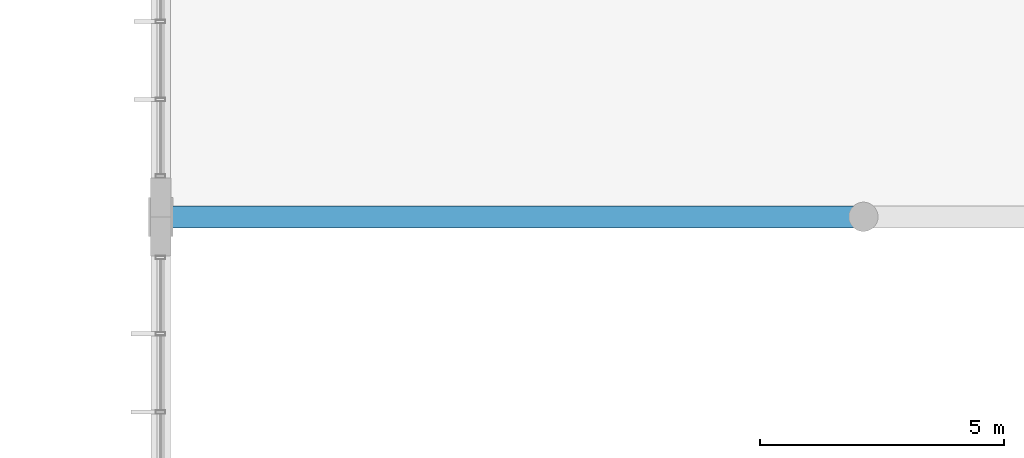
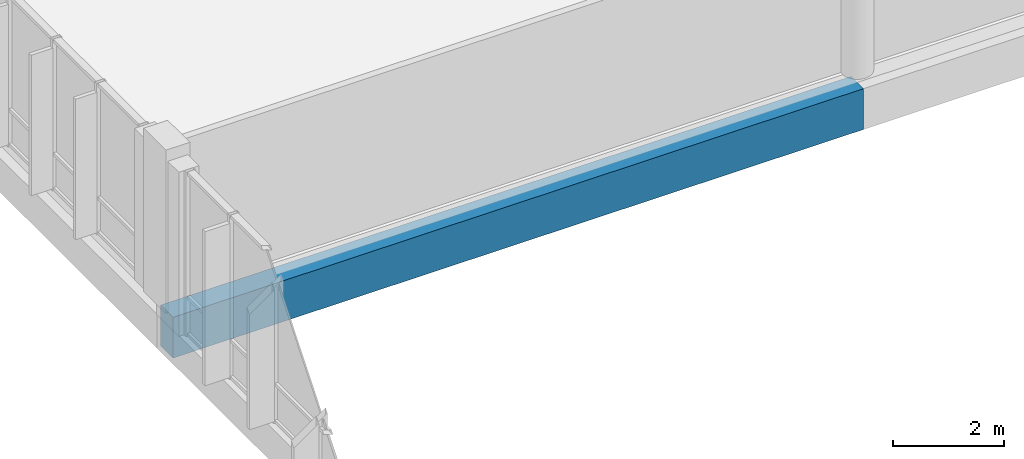
# One storey, part 36 of 189: 1 beam.
"""IFC4 building model written with IfcOpenShell, lengths in metres."""

import ifcopenshell
import ifcopenshell.guid

model = None  # the IFC model being written
_history = None  # IfcOwnerHistory: only IFC2X3 demands one
_inside = {}  # id of a spatial element -> (the spatial element, [elements in it])
_under = {}  # id of a project, library or spatial element -> (it, [spatial elements below it])
_declared = {}  # id of a project -> (the project, [libraries it declares])
_typed = {}  # id of a type object -> (the type object, [elements of that type])
_made_of = {}  # id of a material, layer set ... -> (it, [elements and type objects made of it])


def new_model(schema):
    """Start an empty IFC model of exactly this schema.

    Asked for "IFC4X3", IfcOpenShell would pick the latest addendum, in which some entities
    have other attributes; the version numbers below select the first issue.
    IFC2X3 requires an IfcOwnerHistory on every rooted entity: one is made here for all.
    """
    global model, _history
    if schema == "IFC4X3":
        model = ifcopenshell.file(schema_version=(4, 3, 0, 0))
    else:
        model = ifcopenshell.file(schema=schema)
    _inside.clear()
    _under.clear()
    _declared.clear()
    _typed.clear()
    _made_of.clear()
    _history = None
    if model.schema == "IFC2X3":
        org = make("IfcOrganization", Name="unknown")
        user = make(
            "IfcPersonAndOrganization",
            ThePerson=make("IfcPerson", FamilyName="unknown"),
            TheOrganization=org,
        )
        app = make(
            "IfcApplication",
            ApplicationDeveloper=org,
            Version="unknown",
            ApplicationFullName="unknown",
            ApplicationIdentifier="unknown",
        )
        _history = make(
            "IfcOwnerHistory",
            OwningUser=user,
            OwningApplication=app,
            ChangeAction="ADDED",
            CreationDate=0,
        )
    return model


def make(cls, **values):
    """One entity of the class cls with the attributes given. An attribute that is None is left unset."""
    return model.create_entity(
        cls, **{name: value for name, value in values.items() if value is not None}
    )


def rooted(cls, **values):
    """An entity with a GlobalId (a new one), such as an element, a storey or a relation."""
    return make(cls, GlobalId=ifcopenshell.guid.new(), OwnerHistory=_history, **values)


def si_unit(unit_type, name, prefix=None):
    """IfcSIUnit, for example si_unit("LENGTHUNIT", "METRE", prefix="MILLI")."""
    return make("IfcSIUnit", UnitType=unit_type, Prefix=prefix, Name=name)


def assignment(units):
    """IfcUnitAssignment: the units of a project."""
    return None if units is None else make("IfcUnitAssignment", Units=units)


def point(xyz):
    """IfcCartesianPoint."""
    return None if xyz is None else make("IfcCartesianPoint", Coordinates=xyz)


def direction(xyz):
    """IfcDirection."""
    return None if xyz is None else make("IfcDirection", DirectionRatios=xyz)


def frame(location, z_axis=None, x_axis=None):
    """IfcAxis2Placement3D, a coordinate frame: its origin and axes. An axis left out is left unset."""
    return make(
        "IfcAxis2Placement3D",
        Location=point(location),
        Axis=direction(z_axis),
        RefDirection=direction(x_axis),
    )


def frame_2d(location, x_axis=None):
    """IfcAxis2Placement2D, a coordinate frame in the plane: its origin and x axis."""
    return make(
        "IfcAxis2Placement2D", Location=point(location), RefDirection=direction(x_axis)
    )


def origin():
    """The frame at (0, 0, 0) with its axes left unset."""
    return frame((0.0, 0.0, 0.0))


def origin_2d():
    """The frame at (0, 0) in the plane with its x axis left unset."""
    return frame_2d((0.0, 0.0))


def place(relative_to, where):
    """IfcLocalPlacement: puts the frame where relative to a parent placement (None: the world)."""
    return make(
        "IfcLocalPlacement", PlacementRelTo=relative_to, RelativePlacement=where
    )


def context(
    kind, dimensions, precision=None, world=None, true_north=None, identifier=None
):
    """IfcGeometricRepresentationContext, for example the 3D "Model" context."""
    return make(
        "IfcGeometricRepresentationContext",
        ContextIdentifier=identifier,
        ContextType=kind,
        CoordinateSpaceDimension=dimensions,
        Precision=precision,
        WorldCoordinateSystem=world,
        TrueNorth=true_north,
    )


def subcontext(parent, identifier, kind, view, scale=None):
    """IfcGeometricRepresentationSubContext, for example "Body" below "Model"."""
    return make(
        "IfcGeometricRepresentationSubContext",
        ContextIdentifier=identifier,
        ContextType=kind,
        ParentContext=parent,
        TargetScale=scale,
        TargetView=view,
    )


def project(units=None, contexts=None):
    """IfcProject with its units and contexts."""
    return rooted(
        "IfcProject",
        Name="project",
        RepresentationContexts=contexts,
        UnitsInContext=assignment(units),
    )


def spatial(cls, under=None, at=None, **own):
    """A site, building, storey or space (cls), placed at a placement, below another one or the project."""
    s = rooted(cls, ObjectPlacement=at, **own)
    if under is not None:
        _under.setdefault(under.id(), (under, []))[1].append(s)
    return s


def profile(cls, at=None, kind="AREA", **sizes):
    """A parametric profile (cls). Its sizes go by their IFC names, for example OverallWidth=200.0."""
    return make(cls, ProfileType=kind, Position=at, **sizes)


def rectangle(**sizes):
    """IfcRectangleProfileDef."""
    return profile("IfcRectangleProfileDef", **sizes)


def extrude(swept, where, along, depth):
    """IfcExtrudedAreaSolid: the profile swept, set in the frame where, extruded along a direction by depth."""
    return make(
        "IfcExtrudedAreaSolid",
        SweptArea=swept,
        Position=where,
        ExtrudedDirection=direction(along),
        Depth=depth,
    )


def shape(context_of_items, identifier, shape_type, items):
    """IfcShapeRepresentation: the items that make up one representation, for example the "Body"."""
    return make(
        "IfcShapeRepresentation",
        ContextOfItems=context_of_items,
        RepresentationIdentifier=identifier,
        RepresentationType=shape_type,
        Items=items,
    )


def material(Name=None, Category=None):
    """IfcMaterial."""
    return make("IfcMaterial", Name=Name, Category=Category)


def material_profile(
    of_material, cross_section, Name=None, Category=None, Priority=None
):
    """IfcMaterialProfile: a cross section and its material."""
    return make(
        "IfcMaterialProfile",
        Name=Name,
        Material=of_material,
        Profile=cross_section,
        Priority=Priority,
        Category=Category,
    )


def profile_set(profiles, Name=None, composite=None):
    """IfcMaterialProfileSet."""
    return make(
        "IfcMaterialProfileSet",
        Name=Name,
        MaterialProfiles=profiles,
        CompositeProfile=composite,
    )


def made_of(thing, what):
    """Note that an element or type object is made of a material, layer set ...; save() writes the relation."""
    if what is not None:
        _made_of.setdefault(what.id(), (what, []))[1].append(thing)
    return thing


def type_object(cls, material=None, **own):
    """A type object (cls), such as IfcWallType, which elements share."""
    return made_of(rooted(cls, **own), material)


def element(
    cls,
    number,
    at=None,
    inside=None,
    cuts=None,
    type_object=None,
    material=None,
    context=None,
    identifier="Body",
    shape_type=None,
    held_by="IfcProductDefinitionShape",
    body=None,
    shapes=None,
    **own,
):
    """One element of the class cls, such as IfcWall. Its Tag is "e" and its number.

    at: its placement. inside: the storey or other place that contains it. cuts: it is an
    opening in that element (IfcRelVoidsElement). A single representation is given by context,
    identifier, shape_type and body (its items); several are given by shapes. held_by: the class
    of the entity that holds the representations. save() writes the other relations.
    """
    e = rooted(cls, Tag="e%d" % number, ObjectPlacement=at, **own)
    if body is not None:
        shapes = [shape(context, identifier, shape_type, body)]
    if shapes is not None:
        e.Representation = make(held_by, Representations=shapes)
    if inside is not None:
        _inside.setdefault(inside.id(), (inside, []))[1].append(e)
    if cuts is not None:
        rooted(
            "IfcRelVoidsElement", RelatingBuildingElement=cuts, RelatedOpeningElement=e
        )
    if type_object is not None:
        _typed.setdefault(type_object.id(), (type_object, []))[1].append(e)
    return made_of(e, material)


def aggregate(whole, parts):
    """IfcRelAggregates: a whole, such as a stair, and the parts it consists of."""
    return rooted("IfcRelAggregates", RelatingObject=whole, RelatedObjects=parts)


def save(model, path):
    """Write the relations noted so far, then the file.

    IfcRelAggregates (storeys below a building ...), IfcRelContainedInSpatialStructure (elements
    in a storey), IfcRelDefinesByType, IfcRelAssociatesMaterial and IfcRelDeclares: one each for
    every whole, place, type object, material and project.
    """
    for whole, parts in _under.values():
        aggregate(whole, parts)
    for where, things in _inside.values():
        rooted(
            "IfcRelContainedInSpatialStructure",
            RelatedElements=things,
            RelatingStructure=where,
        )
    for kind, things in _typed.values():
        rooted("IfcRelDefinesByType", RelatedObjects=things, RelatingType=kind)
    for what, things in _made_of.values():
        rooted("IfcRelAssociatesMaterial", RelatedObjects=things, RelatingMaterial=what)
    for by, libraries in _declared.values():
        rooted("IfcRelDeclares", RelatingContext=by, RelatedDefinitions=libraries)
    model.write(path)


model = new_model("IFC4")

# Units and contexts
model_context = context("Model", 3, precision=1e-05, world=origin(), true_north=direction((0.0, 1.0)))
body_context = subcontext(model_context, "Body", "Model", "MODEL_VIEW")
ifc_project = project(units=[si_unit("LENGTHUNIT", "METRE"), si_unit("AREAUNIT", "SQUARE_METRE"), si_unit("VOLUMEUNIT", "CUBIC_METRE"), si_unit("PLANEANGLEUNIT", "RADIAN"), si_unit("MASSUNIT", "GRAM", prefix="KILO")], contexts=[model_context])

# Site, building, storey
site_placement = place(None, origin())
site = spatial("IfcSite", under=ifc_project, at=site_placement, CompositionType="ELEMENT")
building_placement = place(site_placement, origin())
building = spatial("IfcBuilding", under=site, at=building_placement, Name="Zavelmont Quarter", CompositionType="ELEMENT")
storey_placement = place(building_placement, frame((0.0, 0.0, 4.39990234375)))
storey = spatial("IfcBuildingStorey", under=building, at=storey_placement, Name="L01", CompositionType="ELEMENT", Elevation=4.39990234375)

# Beam
ifc_material = material(Name="Concrete C40/50", Category="concrete")
ifc_material_profile = material_profile(ifc_material, rectangle(XDim=0.449951171875, YDim=0.89990234375, at=origin_2d()), Name="RC450X900")
ifc_profile_set = profile_set([ifc_material_profile], Name="Concrete C40/50")
beam_type = type_object("IfcBeamType", Name="BM06", PredefinedType="BEAM", material=ifc_profile_set)
beam_placement = place(storey_placement, frame((55.199951171875, 62.0, -0.72998046875), z_axis=(1.0, 0.0, 0.0), x_axis=(0.0, 1.0, 0.0)))
element("IfcBeam", 1, at=beam_placement, inside=storey, type_object=beam_type, Name="L01 beam BM06 9/K to 11/K", PredefinedType="BEAM", context=body_context, shape_type="SweptSolid", body=[
    extrude(rectangle(XDim=0.449951171875, YDim=0.89990234375, at=origin_2d()), origin(), (0.0, 0.0, 1.0), 14.400146484375),
])

save(model, "model.ifc")
